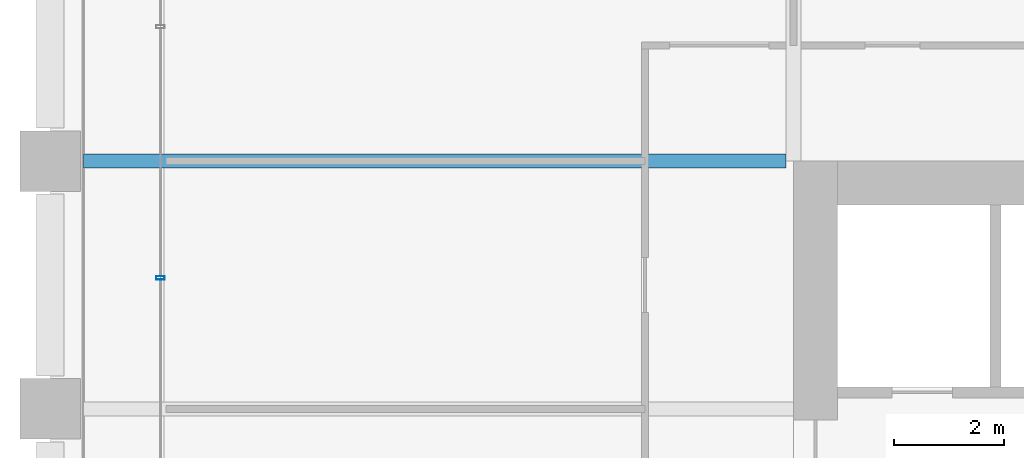
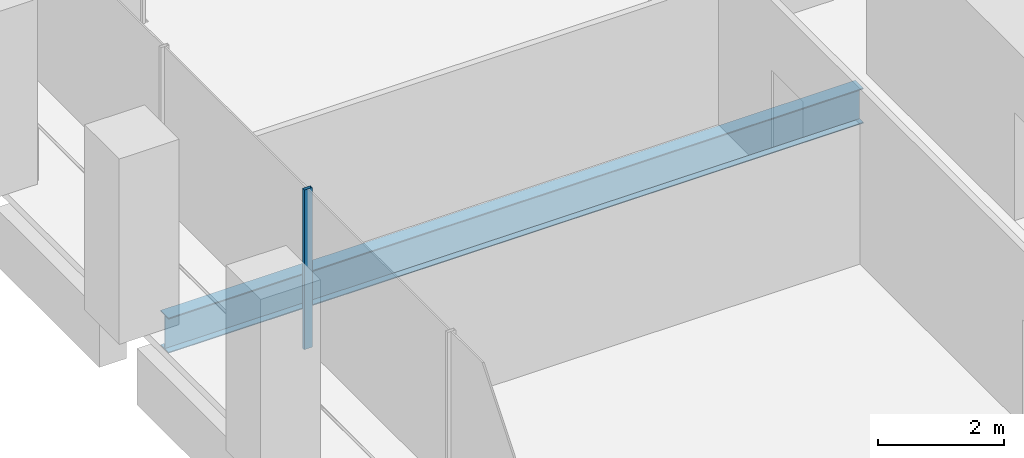
# One storey, part 14 of 55: 1 beam, 1 member, 1 element without a shape of its own.
"""IFC4 building model written with IfcOpenShell, lengths in metres."""

from ifc_helpers import new_model, si_unit, direction, frame, origin, origin_2d, place, context, subcontext, project, spatial, hollow_rectangle, i_section, extrude, material, material_profile, profile_set, type_object, element, aggregate, save


model = new_model("IFC4")

# Units and contexts
model_context = context("Model", 3, precision=1e-05, world=origin(), true_north=direction((0.0, 1.0)))
body_context = subcontext(model_context, "Body", "Model", "MODEL_VIEW")
ifc_project = project(units=[si_unit("LENGTHUNIT", "METRE"), si_unit("AREAUNIT", "SQUARE_METRE"), si_unit("VOLUMEUNIT", "CUBIC_METRE"), si_unit("PLANEANGLEUNIT", "RADIAN"), si_unit("MASSUNIT", "GRAM", prefix="KILO")], contexts=[model_context])

# Site, building, storey
site_placement = place(None, origin())
site = spatial("IfcSite", under=ifc_project, at=site_placement, CompositionType="ELEMENT")
building_placement = place(site_placement, origin())
building = spatial("IfcBuilding", under=site, at=building_placement, Name="Altepetl Exchange Towers", CompositionType="ELEMENT")
storey_placement = place(building_placement, frame((0.0, 0.0, 47.39990234375)))
storey = spatial("IfcBuildingStorey", under=building, at=storey_placement, Name="L10", CompositionType="ELEMENT", Elevation=47.39990234375)

# Beam
ifc_material_1 = material(Name="Steel S355", Category="steel")
ifc_material_profile_1 = material_profile(ifc_material_1, i_section(OverallWidth=0.25390625, OverallDepth=0.68408203125, WebThickness=0.012451171875, FlangeThickness=0.018798828125, at=origin_2d()), Name="W27X94")
ifc_profile_set_1 = profile_set([ifc_material_profile_1], Name="Steel S355")
beam_type = type_object("IfcBeamType", Name="Floor beam W27X94", PredefinedType="BEAM", material=ifc_profile_set_1)
beam_placement = place(storey_placement, frame((27.60009765625, 58.5, -0.491943359375), z_axis=(1.0, 0.0, 0.0), x_axis=(0.0, 1.0, 0.0)))
element("IfcBeam", 1, at=beam_placement, inside=storey, type_object=beam_type, Name="bm:A:L10:021", PredefinedType="BEAM", context=body_context, shape_type="SweptSolid", body=[
    extrude(i_section(OverallWidth=0.25390625, OverallDepth=0.68408203125, WebThickness=0.012451171875, FlangeThickness=0.018798828125, at=origin_2d()), origin(), (0.0, 0.0, 1.0), 12.765869140625),
])

# Curtain wall, member
ifc_material_2 = material(Name="Aluminium 6063-T6 glazing", Category="aluminium")
curtain_wall_type = type_object("IfcCurtainWallType", Name="Loggia glazing system", PredefinedType="NOTDEFINED", material=ifc_material_2)
curtain_wall_placement = place(storey_placement, origin())
curtain_wall = element("IfcCurtainWall", 2, at=curtain_wall_placement, inside=storey, type_object=curtain_wall_type, Name="CW1 run", PredefinedType="NOTDEFINED")
ifc_material_3 = material(Name="Aluminium 6063-T6", Category="aluminium")
ifc_material_profile_2 = material_profile(ifc_material_3, hollow_rectangle(XDim=0.06005859375, YDim=0.14990234375, WallThickness=0.0029296875, at=origin_2d()), Name="Mullion 60x150 aluminium")
ifc_profile_set_2 = profile_set([ifc_material_profile_2], Name="Aluminium 6063-T6")
member_type = type_object("IfcMemberType", Name="Mullion 60x150 aluminium", PredefinedType="MULLION", material=ifc_profile_set_2)
member_placement = place(storey_placement, frame((29.0, 56.378662109375, 0.0), z_axis=(0.0, 0.0, 1.0), x_axis=(0.0, -1.0, 0.0)))
member = element("IfcMember", 3, at=member_placement, type_object=member_type, Name="MU1 mullion", PredefinedType="MULLION", context=body_context, shape_type="SweptSolid", body=[
    extrude(hollow_rectangle(XDim=0.06005859375, YDim=0.14990234375, WallThickness=0.0029296875, at=origin_2d()), origin(), (0.0, 0.0, 1.0), 3.10009765625),
])
aggregate(curtain_wall, [member])

save(model, "model.ifc")
